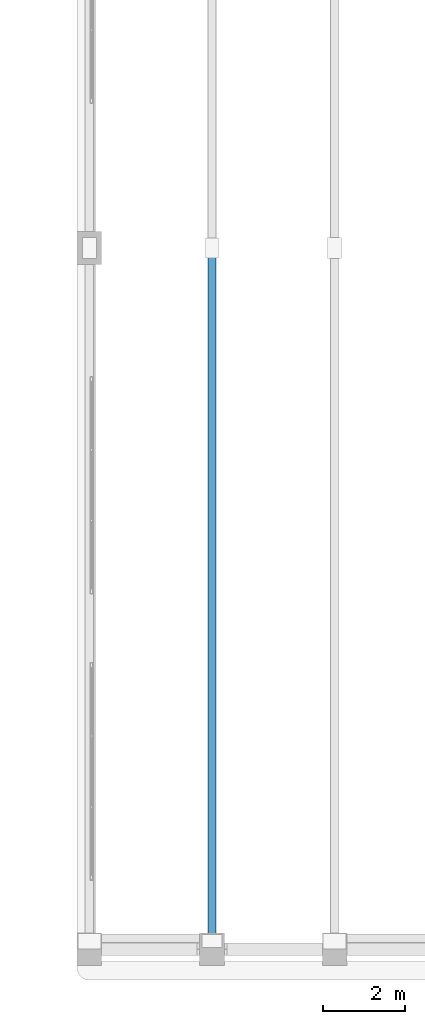
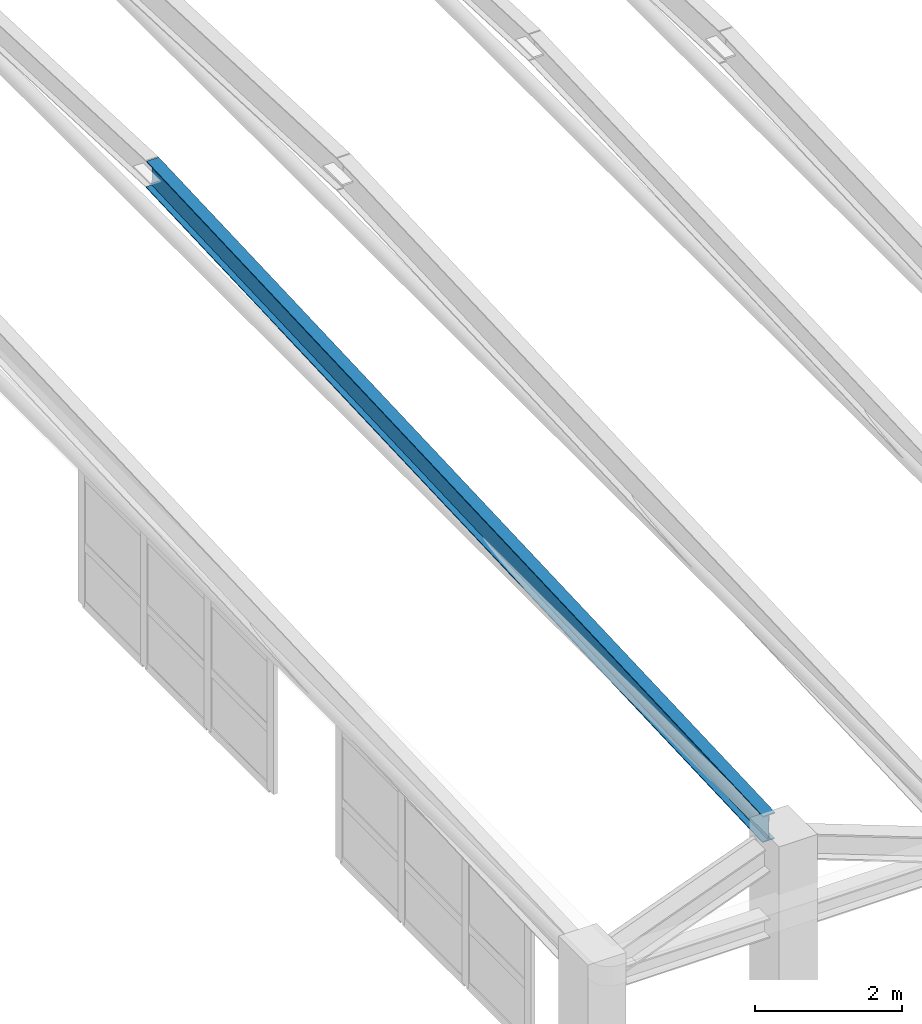
# One storey, part 12 of 128: 1 beam.
"""IFC4 building model written with IfcOpenShell, lengths in metres."""

from ifc_helpers import new_model, si_unit, direction, frame, origin, origin_2d, place, context, subcontext, project, spatial, i_section, extrude, material, material_profile, profile_set, type_object, element, save


model = new_model("IFC4")

# Units and contexts
model_context = context("Model", 3, precision=1e-05, world=origin(), true_north=direction((0.0, 1.0)))
body_context = subcontext(model_context, "Body", "Model", "MODEL_VIEW")
ifc_project = project(units=[si_unit("LENGTHUNIT", "METRE"), si_unit("AREAUNIT", "SQUARE_METRE"), si_unit("VOLUMEUNIT", "CUBIC_METRE"), si_unit("PLANEANGLEUNIT", "RADIAN"), si_unit("MASSUNIT", "GRAM", prefix="KILO")], contexts=[model_context])

# Site, building, storey
site_placement = place(None, origin())
site = spatial("IfcSite", under=ifc_project, at=site_placement, CompositionType="ELEMENT")
building_placement = place(site_placement, origin())
building = spatial("IfcBuilding", under=site, at=building_placement, Name="Keldmere Railside Commons", CompositionType="ELEMENT")
storey_placement = place(building_placement, frame((0.0, 0.0, 4.159912109375)))
storey = spatial("IfcBuildingStorey", under=building, at=storey_placement, Name="L01", CompositionType="ELEMENT", Elevation=4.159912109375)

# Beam
ifc_material = material(Name="Steel F-36 (S355)", Category="steel")
ifc_material_profile = material_profile(ifc_material, i_section(OverallWidth=0.18994140625, OverallDepth=0.449951171875, WebThickness=0.009521484375, FlangeThickness=0.0146484375, at=origin_2d()), Name="IPE-450")
ifc_profile_set = profile_set([ifc_material_profile], Name="Steel F-36 (S355)")
beam_type = type_object("IfcBeamType", Name="Folded-Plate Steel Ridge Rib IPE450", PredefinedType="BEAM", material=ifc_profile_set)
beam_placement = place(storey_placement, frame((67.0, 12.85009765625, 3.530029296875), z_axis=(0.0, 0.999102933585, 0.042347704799), x_axis=(-1.0, 0.0, 0.0)))
element("IfcBeam", 1, at=beam_placement, inside=storey, type_object=beam_type, Name="FPR-1 BM-L01-2581", PredefinedType="BEAM", context=body_context, shape_type="SweptSolid", body=[
    extrude(i_section(OverallWidth=0.18994140625, OverallDepth=0.449951171875, WebThickness=0.009521484375, FlangeThickness=0.0146484375, at=origin_2d()), origin(), (0.0, 0.0, 1.0), 16.76513671875),
])

save(model, "model.ifc")
